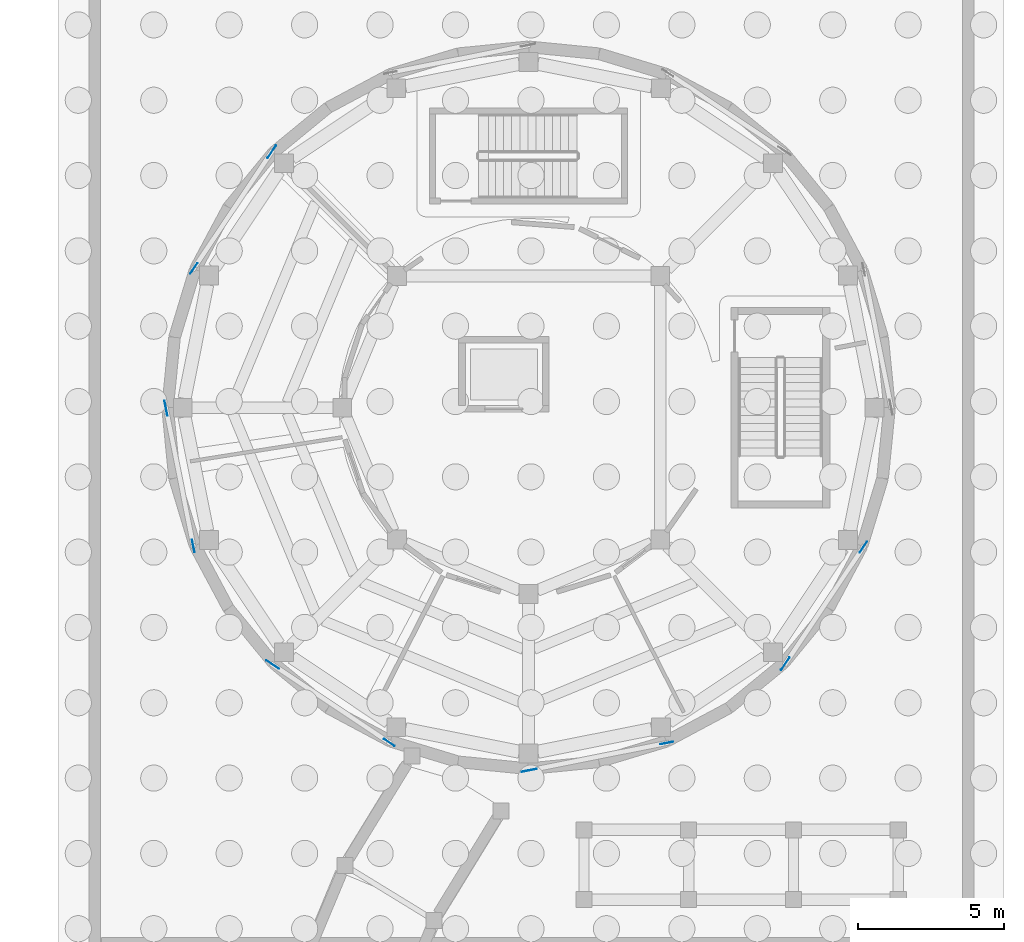
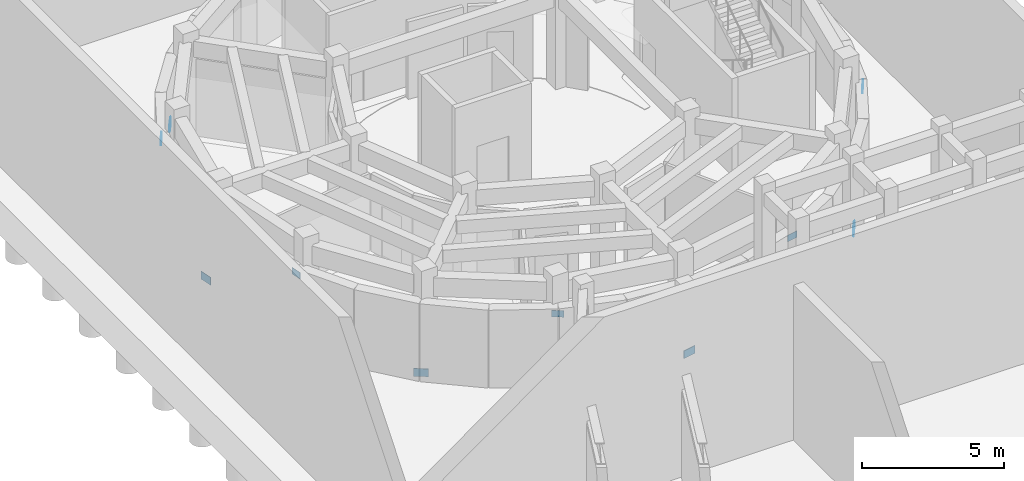
# One storey, part 33 of 57: 10 plates.
"""IFC4 building model written with IfcOpenShell, lengths in metres."""

from ifc_helpers import new_model, si_unit, direction, frame, origin, origin_2d, place, context, subcontext, project, spatial, rectangle, extrude, material, layer, layer_set, type_object, element, save


model = new_model("IFC4")

# Units and contexts
model_context = context("Model", 3, precision=1e-05, world=origin(), true_north=direction((0.0, 1.0)))
body_context = subcontext(model_context, "Body", "Model", "MODEL_VIEW")
ifc_project = project(units=[si_unit("LENGTHUNIT", "METRE"), si_unit("AREAUNIT", "SQUARE_METRE"), si_unit("VOLUMEUNIT", "CUBIC_METRE"), si_unit("PLANEANGLEUNIT", "RADIAN"), si_unit("MASSUNIT", "GRAM", prefix="KILO")], contexts=[model_context])

# Site, building, storey
site_placement = place(None, origin())
site = spatial("IfcSite", under=ifc_project, at=site_placement, CompositionType="ELEMENT")
building_placement = place(site_placement, origin())
building = spatial("IfcBuilding", under=site, at=building_placement, Name="Aldenvaro Health Centre", CompositionType="ELEMENT")
storey_placement = place(building_placement, frame((0.0, 0.0, -4.550048828125)))
storey = spatial("IfcBuildingStorey", under=building, at=storey_placement, Name="B1", CompositionType="ELEMENT", Elevation=-4.550048828125)

# Plates
ifc_material = material(Name="Steel ASTM A572 Grade 50", Category="steel")
ifc_layer_1 = layer(ifc_material, 0.01806640625, Name="Steel ASTM A572 Grade 50", Category="steel")
ifc_layer_set_1 = layer_set([ifc_layer_1], Name="Steel ASTM A572 Grade 50")
plate_type_1 = type_object("IfcPlateType", Name="PLT-GUS-02", PredefinedType="SHEET", material=ifc_layer_set_1)
for number, where, z_axis, x_axis, name in (
    (1, (145.677978515625, 108.2939453125, 0.1298828125), (0.0, 0.0, 1.0), (-0.555613767905, -0.831440521573, 0.0), "D2 B1 brace end gusset 7.B"),
    (2, (142.0439453125, 99.47998046875, 0.1298828125), (0.0, 0.0, 1.0), (0.195004731611, -0.980802301511, 0.0), "D2 B1 brace end gusset 9.B"),
    (3, (145.7060546875, 90.677978515625, 0.1298828125), (0.0, 0.0, 1.0), (0.831440521573, -0.555613767905, 0.0), "D2 B1 brace end gusset 11.B"),
    (4, (154.52001953125, 87.0439453125, 0.1298828125), (0.0, 0.0, 1.0), (0.980802301511, 0.195004731611, 0.0), "D2 B1 brace end gusset 13.B"),
    (5, (163.322021484375, 90.7060546875, 0.1298828125), (0.0, 0.0, 1.0), (0.555613767905, 0.831440521573, 0.0), "D2 B1 brace end gusset 15.B"),
):
    element("IfcPlate", number, at=place(storey_placement, frame(where, z_axis=z_axis, x_axis=x_axis)), inside=storey, type_object=plate_type_1, Name=name, PredefinedType="SHEET", context=body_context, shape_type="SweptSolid", body=[
        extrude(rectangle(XDim=0.52001953125, YDim=0.01806640625, at=origin_2d()), origin(), (0.0, 0.0, 1.0), 0.340087890625),
    ])
ifc_layer_2 = layer(ifc_material, 0.01611328125, Name="Steel ASTM A572 Grade 50", Category="steel")
ifc_layer_set_2 = layer_set([ifc_layer_2], Name="Steel ASTM A572 Grade 50")
plate_type_2 = type_object("IfcPlateType", Name="PLT-GUS-03", PredefinedType="SHEET", material=ifc_layer_set_2)
for number, where, z_axis, x_axis, name in (
    (6, (142.9990234375, 104.284912109375, 2.908203125), (0.0, 0.0, 1.0), (-0.555613767905, -0.831440521573, 0.0), "D2 B1 brace end gusset 7.T"),
    (7, (142.98388671875, 94.751953125, 2.908203125), (0.0, 0.0, 1.0), (0.195004731611, -0.980802301511, 0.0), "D2 B1 brace end gusset 9.T"),
    (8, (149.715087890625, 87.9990234375, 2.908203125), (0.0, 0.0, 1.0), (0.831440521573, -0.555613767905, 0.0), "D2 B1 brace end gusset 11.T"),
    (9, (159.248046875, 87.98388671875, 2.908203125), (0.0, 0.0, 1.0), (0.980802301511, 0.195004731611, 0.0), "D2 B1 brace end gusset 13.T"),
    (10, (166.0009765625, 94.715087890625, 2.908203125), (0.0, 0.0, 1.0), (0.555613767905, 0.831440521573, 0.0), "D2 B1 brace end gusset 15.T"),
):
    element("IfcPlate", number, at=place(storey_placement, frame(where, z_axis=z_axis, x_axis=x_axis)), inside=storey, type_object=plate_type_2, Name=name, PredefinedType="SHEET", context=body_context, shape_type="SweptSolid", body=[
        extrude(rectangle(XDim=0.43994140625, YDim=0.01611328125, at=origin_2d()), origin(), (0.0, 0.0, 1.0), 0.280029296875),
    ])

save(model, "model.ifc")
